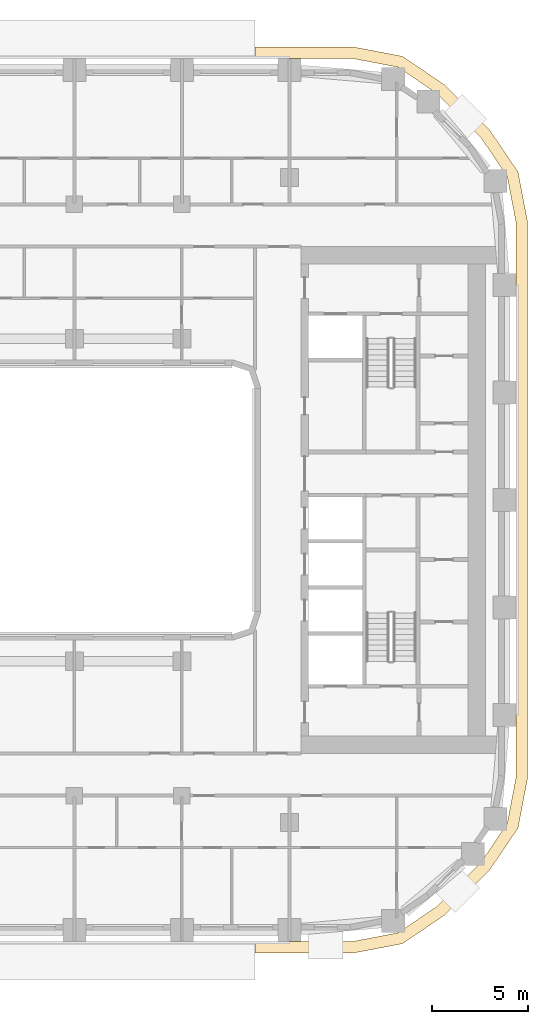
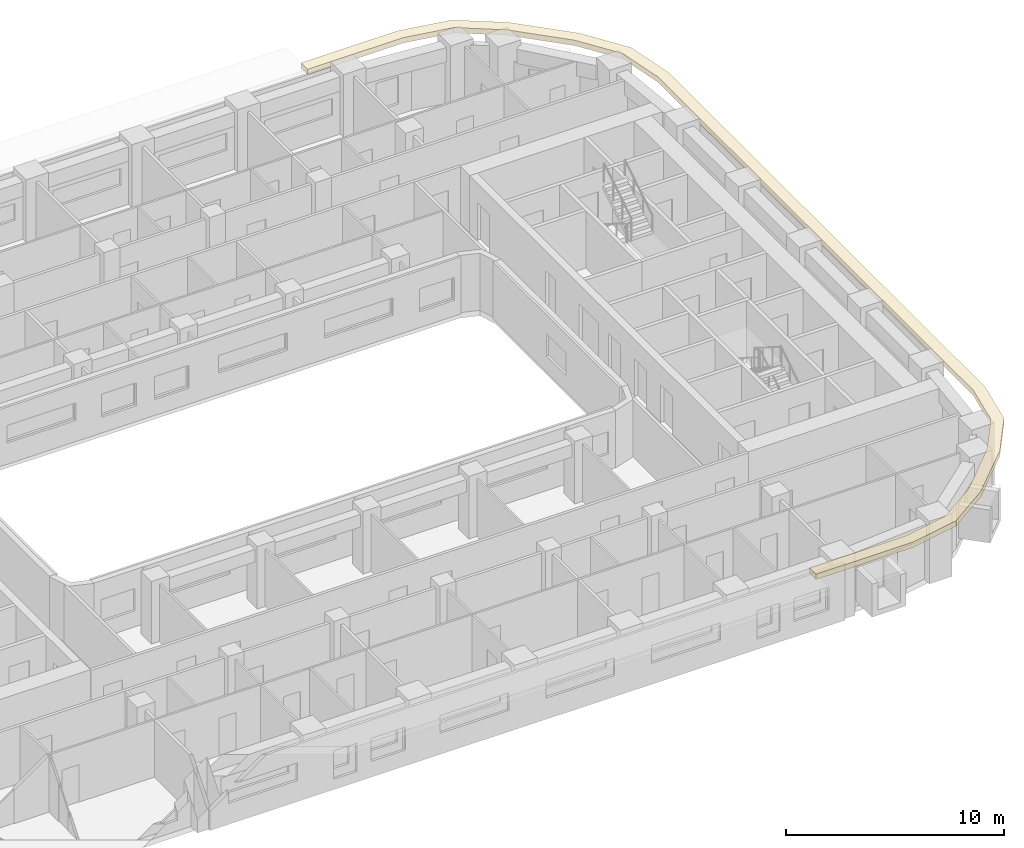
# One storey, part 18 of 22: 1 covering.
"""IFC4 building model written with IfcOpenShell, lengths in metres."""

from ifc_helpers import new_model, si_unit, direction, frame, origin, place, context, subcontext, project, spatial, polyline, outline, extrude, material, layer, layer_set, type_object, element, save


model = new_model("IFC4")

# Units and contexts
model_context = context("Model", 3, precision=1e-05, world=origin(), true_north=direction((0.0, 1.0)))
body_context = subcontext(model_context, "Body", "Model", "MODEL_VIEW")
ifc_project = project(units=[si_unit("LENGTHUNIT", "METRE"), si_unit("AREAUNIT", "SQUARE_METRE"), si_unit("VOLUMEUNIT", "CUBIC_METRE"), si_unit("PLANEANGLEUNIT", "RADIAN"), si_unit("MASSUNIT", "GRAM", prefix="KILO")], contexts=[model_context])

# Site, building, storey
site_placement = place(None, origin())
site = spatial("IfcSite", under=ifc_project, at=site_placement, CompositionType="ELEMENT")
building_placement = place(site_placement, origin())
building = spatial("IfcBuilding", under=site, at=building_placement, Name="Kiln Ring Residences", CompositionType="ELEMENT")
storey_placement = place(building_placement, frame((0.0, 0.0, 111.300048828125)))
storey = spatial("IfcBuildingStorey", under=building, at=storey_placement, Name="L28", CompositionType="ELEMENT", Elevation=111.300048828125)

# Covering
ifc_material = material(Name="Black powder-coated steel", Category="steel")
ifc_layer = layer(ifc_material, 0.300048828125)
ifc_layer_set = layer_set([ifc_layer], Name="SUNSHADE FIN 600")
covering_type = type_object("IfcCoveringType", Name="SUNSHADE FIN 600", PredefinedType="CLADDING", material=ifc_layer_set)
covering_placement = place(storey_placement, frame((0.0, 0.0, 3.199951171875)))
element("IfcCovering", 1, at=covering_placement, inside=storey, type_object=covering_type, Name="SUNSHADE FIN L28", PredefinedType="CLADDING", context=body_context, shape_type="SweptSolid", body=[
    extrude(outline(polyline([(20.11328125, 23.60009765625), (15.0, 23.60009765625), (15.0, 23.0), (20.056640625, 23.0), (22.458740234375, 22.541748046875), (24.481201171875, 21.167236328125), (26.767333984375, 18.881103515625), (28.141845703125, 16.858642578125), (28.60009765625, 14.456787109375), (28.60009765625, -14.456787109375), (28.141845703125, -16.858642578125), (26.767333984375, -18.881103515625), (24.481201171875, -21.167236328125), (22.458740234375, -22.541748046875), (20.056640625, -23.0), (15.0, -23.0), (15.0, -23.60009765625), (20.11328125, -23.60009765625), (22.693115234375, -23.10791015625), (24.865478515625, -21.631591796875), (27.231689453125, -19.265380859375), (28.7080078125, -17.09326171875), (29.199951171875, -14.513427734375), (29.199951171875, 14.513427734375), (28.7080078125, 17.09326171875), (27.231689453125, 19.265380859375), (24.865478515625, 21.631591796875), (22.693115234375, 23.10791015625), (20.11328125, 23.60009765625)])), origin(), (0.0, 0.0, 1.0), 0.300048828125),
])

save(model, "model.ifc")
